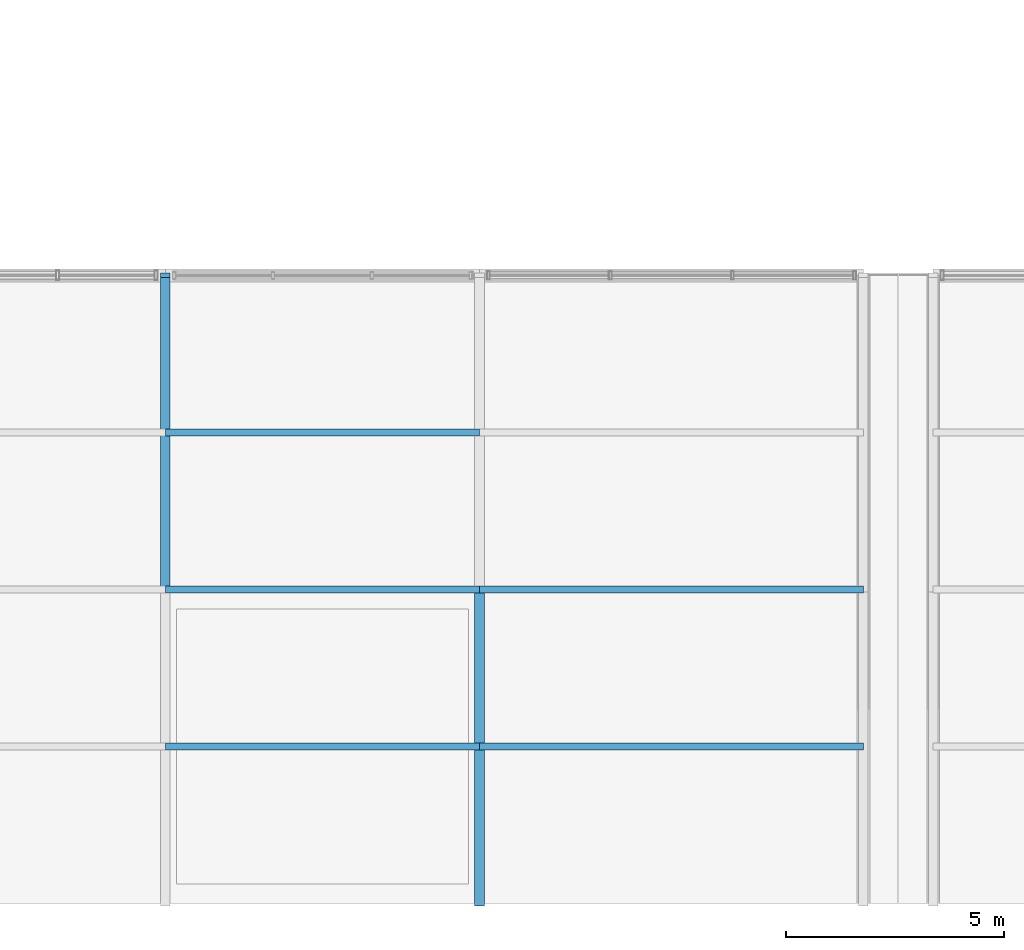
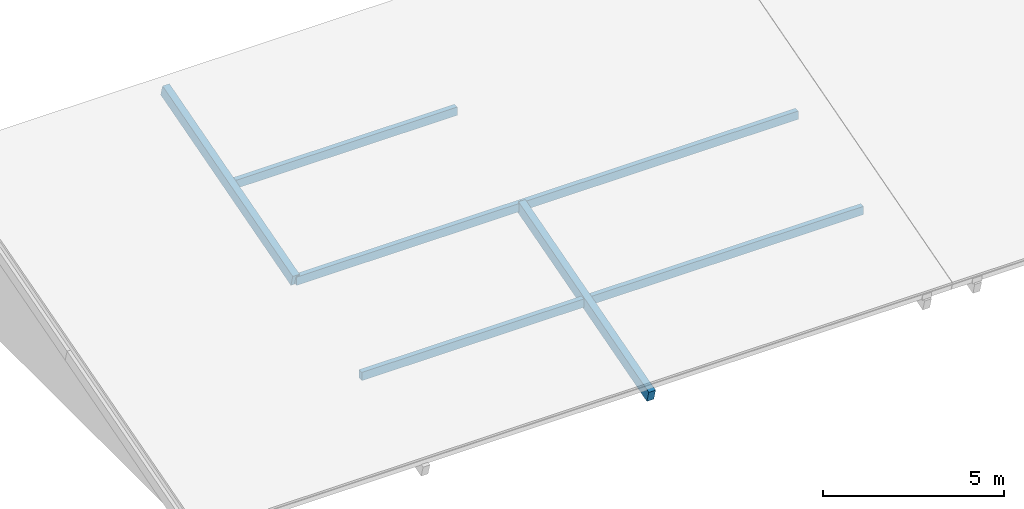
# One storey, part 3 of 32: 7 members.
"""IFC4 building model written with IfcOpenShell, lengths in metres."""

from ifc_helpers import new_model, si_unit, direction, frame, origin, origin_2d, place, context, subcontext, project, spatial, rectangle, extrude, material, material_profile, profile_set, type_object, element, save


model = new_model("IFC4")

# Units and contexts
model_context = context("Model", 3, precision=1e-05, world=origin(), true_north=direction((0.0, 1.0)))
body_context = subcontext(model_context, "Body", "Model", "MODEL_VIEW")
ifc_project = project(units=[si_unit("LENGTHUNIT", "METRE"), si_unit("AREAUNIT", "SQUARE_METRE"), si_unit("VOLUMEUNIT", "CUBIC_METRE"), si_unit("PLANEANGLEUNIT", "RADIAN"), si_unit("MASSUNIT", "GRAM", prefix="KILO")], contexts=[model_context])

# Site, building, storey
site_placement = place(None, origin())
site = spatial("IfcSite", under=ifc_project, at=site_placement, CompositionType="ELEMENT")
building_placement = place(site_placement, origin())
building = spatial("IfcBuilding", under=site, at=building_placement, Name="Hawrajan Terrace Health Centre", CompositionType="ELEMENT")
storey_placement = place(building_placement, frame((0.0, 0.0, 17.39990234375)))
storey = spatial("IfcBuildingStorey", under=building, at=storey_placement, Name="L04", CompositionType="ELEMENT", Elevation=17.39990234375)

# Members
ifc_material_1 = material(Name="Glulam GL28h", Category="wood")
ifc_material_profile_1 = material_profile(ifc_material_1, rectangle(XDim=0.159912109375, YDim=0.280029296875, at=origin_2d()), Name="GL PUR 160x280")
ifc_profile_set_1 = profile_set([ifc_material_profile_1], Name="Glulam GL28h")
member_type_1 = type_object("IfcMemberType", Name="RoofPurlin_160x280", PredefinedType="PURLIN", material=ifc_profile_set_1)
for number, where, z_axis, x_axis, name in (
    (1, (55.0, 7.800048828125, 0.65234375), (1.0, 0.0, 0.0), (0.0, 1.0, 0.0), "North-light purlin W-2-1"),
    (2, (55.0, 11.39990234375, 1.684814453125), (1.0, 0.0, 0.0), (0.0, 1.0, 0.0), "North-light purlin W-2-2"),
    (3, (55.0, 15.0, 2.717041015625), (1.0, 0.0, 0.0), (0.0, 1.0, 0.0), "North-light purlin W-2-3"),
):
    element("IfcMember", number, at=place(storey_placement, frame(where, z_axis=z_axis, x_axis=x_axis)), inside=storey, type_object=member_type_1, Name=name, PredefinedType="PURLIN", context=body_context, shape_type="SweptSolid", body=[
        extrude(rectangle(XDim=0.159912109375, YDim=0.280029296875, at=origin_2d()), origin(), (0.0, 0.0, 1.0), 7.199951171875),
    ])
for number, where, z_axis, x_axis, name in (
    (4, (62.199951171875, 7.800048828125, 0.65234375), (1.0, 0.0, 0.0), (0.0, 1.0, 0.0), "North-light purlin W-3-1"),
    (5, (62.199951171875, 11.39990234375, 1.684814453125), (1.0, 0.0, 0.0), (0.0, 1.0, 0.0), "North-light purlin W-3-2"),
):
    element("IfcMember", number, at=place(storey_placement, frame(where, z_axis=z_axis, x_axis=x_axis)), inside=storey, type_object=member_type_1, Name=name, PredefinedType="PURLIN", context=body_context, shape_type="SweptSolid", body=[
        extrude(rectangle(XDim=0.159912109375, YDim=0.280029296875, at=origin_2d()), origin(), (0.0, 0.0, 1.0), 8.800048828125),
    ])
ifc_material_2 = material(Name="Glulam GL32h", Category="wood")
ifc_material_profile_2 = material_profile(ifc_material_2, rectangle(XDim=0.219970703125, YDim=0.3798828125, at=origin_2d()), Name="GL CHD 220x380")
ifc_profile_set_2 = profile_set([ifc_material_profile_2], Name="Glulam GL32h")
member_type_2 = type_object("IfcMemberType", Name="RoofRafter_220x380", PredefinedType="RAFTER", material=ifc_profile_set_2)
for number, where, z_axis, x_axis, name in (
    (6, (55.0, 11.39990234375, 1.684814453125), (0.0, 0.961267697111, 0.275616426379), (-1.0, 0.0, 0.0), "North-light rafter N W-G08"),
    (7, (62.199951171875, 4.199951171875, -0.3798828125), (0.0, 0.961256584542, 0.275655180749), (-1.0, 0.0, 0.0), "North-light rafter S W-G09"),
):
    element("IfcMember", number, at=place(storey_placement, frame(where, z_axis=z_axis, x_axis=x_axis)), inside=storey, type_object=member_type_2, Name=name, PredefinedType="RAFTER", context=body_context, shape_type="SweptSolid", body=[
        extrude(rectangle(XDim=0.219970703125, YDim=0.3798828125, at=origin_2d()), origin(), (0.0, 0.0, 1.0), 7.490234375),
    ])

save(model, "model.ifc")
